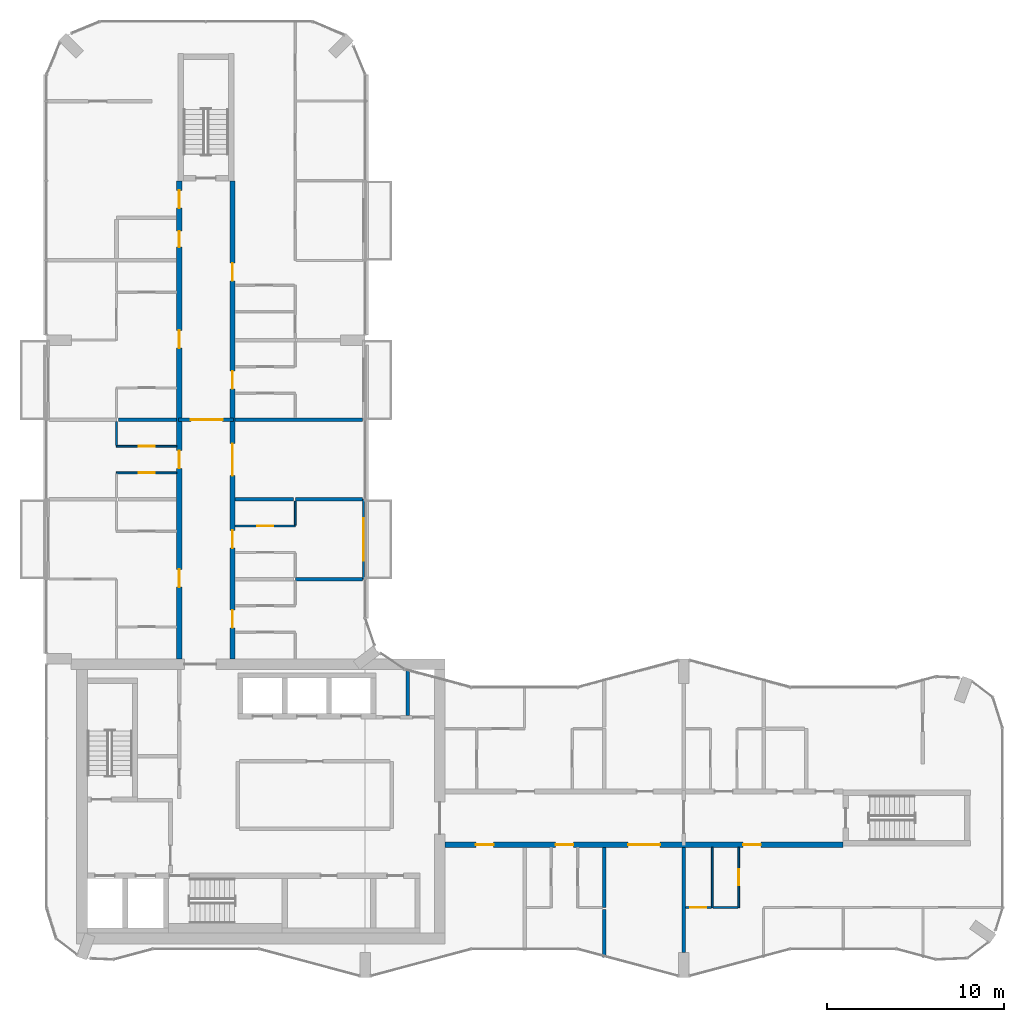
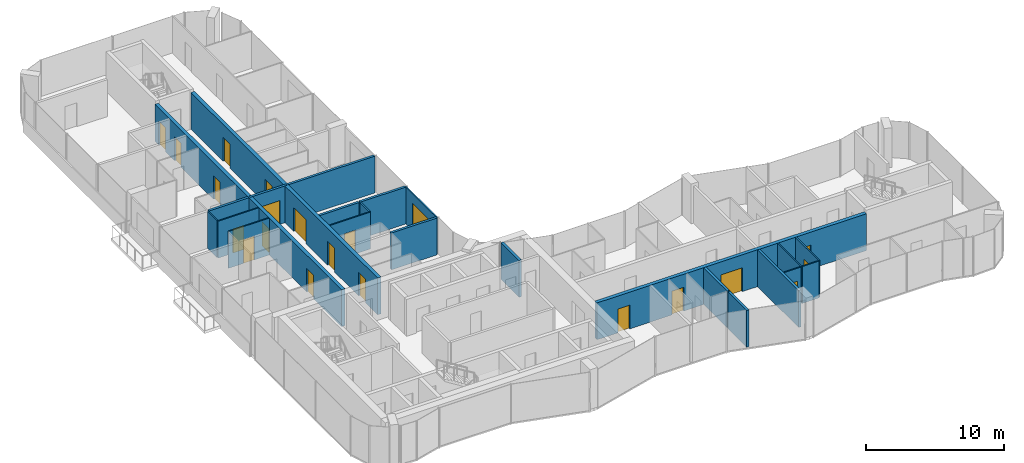
# One storey, part 11 of 17: 23 walls, 21 doors, 21 openings.
"""IFC4 building model written with IfcOpenShell, lengths in metres."""

from ifc_helpers import new_model, si_unit, direction, frame, frame_2d, origin, place, context, subcontext, project, spatial, rectangle, extrude, material, layer, layer_set, type_object, element, fill, save


model = new_model("IFC4")

# Units and contexts
model_context = context("Model", 3, precision=1e-05, world=origin(), true_north=direction((0.0, 1.0)))
body_context = subcontext(model_context, "Body", "Model", "MODEL_VIEW")
ifc_project = project(units=[si_unit("LENGTHUNIT", "METRE"), si_unit("AREAUNIT", "SQUARE_METRE"), si_unit("VOLUMEUNIT", "CUBIC_METRE"), si_unit("PLANEANGLEUNIT", "RADIAN"), si_unit("MASSUNIT", "GRAM", prefix="KILO")], contexts=[model_context])

# Site, building, storey
site_placement = place(None, origin())
site = spatial("IfcSite", under=ifc_project, at=site_placement, CompositionType="ELEMENT")
building_placement = place(site_placement, origin())
building = spatial("IfcBuilding", under=site, at=building_placement, Name="Plateau Cross Towers", CompositionType="ELEMENT")
storey_placement = place(building_placement, frame((0.0, 0.0, 146.39990234375)))
storey = spatial("IfcBuildingStorey", under=building, at=storey_placement, Name="L37", CompositionType="ELEMENT", Elevation=146.39990234375)

# Wall, opening, door
ifc_material_1 = material(Name="Aluminium framed glazing", Category="aluminium")
ifc_layer_1 = layer(ifc_material_1, 0.10009765625)
ifc_layer_set_1 = layer_set([ifc_layer_1], Name="Aluminium framed glazing")
wall_type_1 = type_object("IfcWallType", Name="Balcony screen wall 100", PredefinedType="STANDARD", material=ifc_layer_set_1)
wall_1_placement = place(storey_placement, frame((17.89990234375, 27.0, 0.0), z_axis=(0.0, 0.0, 1.0), x_axis=(0.0, -1.0, 0.0)))
wall_1 = element("IfcWall", 1, at=wall_1_placement, inside=storey, type_object=wall_type_1, Name="Balcony screen wall A-BAL-L37-03", PredefinedType="STANDARD", context=body_context, shape_type="SweptSolid", body=[
    extrude(rectangle(XDim=4.5, YDim=0.10009765625, at=frame_2d((2.25, 0.0))), origin(), (0.0, 0.0, 1.0), 3.25),
])
opening_1_placement = place(wall_1_placement, frame((1.050048828125, 0.0, 0.0)))
opening_1 = element("IfcOpeningElement", 2, at=opening_1_placement, cuts=wall_1, Name="Opening D-B24", PredefinedType="OPENING", context=body_context, shape_type="SweptSolid", body=[
    extrude(rectangle(XDim=2.39990234375, YDim=2.39990234375, at=frame_2d((1.199951171875, 1.199951171875))), frame((0.0, 0.06005859375, 0.0), z_axis=(0.0, -1.0, 0.0), x_axis=(1.0, 0.0, 0.0)), (0.0, 0.0, 1.0), 0.1201171875),
])
ifc_material_2 = material(Name="Aluminium frame, double glazing", Category="aluminium")
door_type_1 = type_object("IfcDoorType", Name="Balcony sliding door 2400", OperationType="NOTDEFINED", PredefinedType="DOOR", material=ifc_material_2)
door_1_placement = place(opening_1_placement, origin())
door_1 = element("IfcDoor", 3, at=door_1_placement, inside=storey, type_object=door_type_1, Name="Balcony door A-BAL-L37-03", OperationType="SINGLE_SWING_LEFT", OverallHeight=2.39990234375, OverallWidth=2.39990234375, PredefinedType="DOOR", context=body_context, shape_type="SweptSolid", body=[
    extrude(rectangle(XDim=2.39990234375, YDim=2.39990234375, at=frame_2d((1.199951171875, 1.199951171875))), frame((0.0, 0.02490234375, 0.0), z_axis=(0.0, -1.0, 0.0), x_axis=(1.0, 0.0, 0.0)), (0.0, 0.0, 1.0), 0.050048828125),
])
fill(opening_1, door_1)

# Wall
ifc_material_3 = material(Name="Concrete block, plastered both sides", Category="concrete")
ifc_layer_2 = layer(ifc_material_3, 0.199951171875)
ifc_layer_set_2 = layer_set([ifc_layer_2], Name="Concrete block, plastered both sides")
wall_type_2 = type_object("IfcWallType", Name="Core partition 200", PredefinedType="PARTITIONING", material=ifc_layer_set_2)
wall_2_placement = place(storey_placement, frame((20.39990234375, 14.800048828125, 0.0), z_axis=(0.0, 0.0, 1.0), x_axis=(0.0, 1.0, 0.0)))
element("IfcWall", 4, at=wall_2_placement, inside=storey, type_object=wall_type_2, Name="Core partition", PredefinedType="PARTITIONING", context=body_context, shape_type="SweptSolid", body=[
    extrude(rectangle(XDim=2.599853515625, YDim=0.199951171875, at=frame_2d((1.2998046875, 0.0))), origin(), (0.0, 0.0, 1.0), 3.25),
])

# Wall, openings, doors
ifc_material_4 = material(Name="Concrete C60/75", Category="concrete")
ifc_layer_3 = layer(ifc_material_4, 0.300048828125)
ifc_layer_set_3 = layer_set([ifc_layer_3], Name="Concrete C60/75")
wall_type_3 = type_object("IfcWallType", Name="Corridor wall 300", PredefinedType="SHEAR", material=ifc_layer_set_3)
wall_3_placement = place(storey_placement, frame((22.5, 7.5, 0.0), z_axis=(0.0, 0.0, 1.0), x_axis=(1.0, 0.0, 0.0)))
wall_3 = element("IfcWall", 5, at=wall_3_placement, inside=storey, type_object=wall_type_3, Name="A-cw-S1@L37", PredefinedType="SHEAR", context=body_context, shape_type="SweptSolid", body=[
    extrude(rectangle(XDim=22.5, YDim=0.300048828125, at=frame_2d((11.25, 0.0))), origin(), (0.0, 0.0, 1.0), 3.25),
])
opening_2_placement = place(wall_3_placement, frame((1.75, 0.0, 0.0)))
opening_2 = element("IfcOpeningElement", 6, at=opening_2_placement, cuts=wall_3, Name="Opening 37-01", PredefinedType="OPENING", context=body_context, shape_type="SweptSolid", body=[
    extrude(rectangle(XDim=1.0, YDim=2.10009765625, at=frame_2d((0.5, 1.050048828125))), frame((0.0, 0.159912109375, 0.0), z_axis=(0.0, -1.0, 0.0), x_axis=(1.0, 0.0, 0.0)), (0.0, 0.0, 1.0), 0.320068359375),
])
opening_3_placement = place(wall_3_placement, frame((6.25, 0.0, 0.0)))
opening_3 = element("IfcOpeningElement", 7, at=opening_3_placement, cuts=wall_3, Name="Opening 37-02", PredefinedType="OPENING", context=body_context, shape_type="SweptSolid", body=[
    extrude(rectangle(XDim=1.0, YDim=2.10009765625, at=frame_2d((0.5, 1.050048828125))), frame((0.0, 0.159912109375, 0.0), z_axis=(0.0, -1.0, 0.0), x_axis=(1.0, 0.0, 0.0)), (0.0, 0.0, 1.0), 0.320068359375),
])
opening_4_placement = place(wall_3_placement, frame((10.35009765625, 0.0, 0.0)))
opening_4 = element("IfcOpeningElement", 8, at=opening_4_placement, cuts=wall_3, Name="Opening 37-03", PredefinedType="OPENING", context=body_context, shape_type="SweptSolid", body=[
    extrude(rectangle(XDim=1.800048828125, YDim=2.10009765625, at=frame_2d((0.89990234375, 1.050048828125))), frame((0.0, 0.159912109375, 0.0), z_axis=(0.0, -1.0, 0.0), x_axis=(1.0, 0.0, 0.0)), (0.0, 0.0, 1.0), 0.320068359375),
])
opening_5_placement = place(wall_3_placement, frame((16.85009765625, 0.0, 0.0)))
opening_5 = element("IfcOpeningElement", 9, at=opening_5_placement, cuts=wall_3, Name="Opening 37-04", PredefinedType="OPENING", context=body_context, shape_type="SweptSolid", body=[
    extrude(rectangle(XDim=1.0, YDim=2.10009765625, at=frame_2d((0.5, 1.050048828125))), frame((0.0, 0.159912109375, 0.0), z_axis=(0.0, -1.0, 0.0), x_axis=(1.0, 0.0, 0.0)), (0.0, 0.0, 1.0), 0.320068359375),
])
ifc_material_5 = material(Name="Timber, fire-resisting leaf", Category="wood")
door_type_2 = type_object("IfcDoorType", Name="Flat entrance door 1000", OperationType="NOTDEFINED", PredefinedType="DOOR", material=ifc_material_5)
door_2_placement = place(opening_2_placement, origin())
door_2 = element("IfcDoor", 10, at=door_2_placement, inside=storey, type_object=door_type_2, Name="Door 37-01", OperationType="SINGLE_SWING_LEFT", OverallHeight=2.10009765625, OverallWidth=1.0, PredefinedType="DOOR", context=body_context, shape_type="SweptSolid", body=[
    extrude(rectangle(XDim=1.0, YDim=2.10009765625, at=frame_2d((0.5, 1.050048828125))), frame((0.0, 0.02490234375, 0.0), z_axis=(0.0, -1.0, 0.0), x_axis=(1.0, 0.0, 0.0)), (0.0, 0.0, 1.0), 0.050048828125),
])
fill(opening_2, door_2)
door_3_placement = place(opening_3_placement, origin())
door_3 = element("IfcDoor", 11, at=door_3_placement, inside=storey, type_object=door_type_2, Name="Door 37-02", OperationType="SINGLE_SWING_LEFT", OverallHeight=2.10009765625, OverallWidth=1.0, PredefinedType="DOOR", context=body_context, shape_type="SweptSolid", body=[
    extrude(rectangle(XDim=1.0, YDim=2.10009765625, at=frame_2d((0.5, 1.050048828125))), frame((0.0, 0.02490234375, 0.0), z_axis=(0.0, -1.0, 0.0), x_axis=(1.0, 0.0, 0.0)), (0.0, 0.0, 1.0), 0.050048828125),
])
fill(opening_3, door_3)
door_4_placement = place(opening_5_placement, origin())
door_4 = element("IfcDoor", 12, at=door_4_placement, inside=storey, type_object=door_type_2, Name="Door 37-04", OperationType="SINGLE_SWING_RIGHT", OverallHeight=2.10009765625, OverallWidth=1.0, PredefinedType="DOOR", context=body_context, shape_type="SweptSolid", body=[
    extrude(rectangle(XDim=1.0, YDim=2.10009765625, at=frame_2d((0.5, 1.050048828125))), frame((0.0, 0.02490234375, 0.0), z_axis=(0.0, -1.0, 0.0), x_axis=(1.0, 0.0, 0.0)), (0.0, 0.0, 1.0), 0.050048828125),
])
fill(opening_5, door_4)
ifc_material_6 = material(Name="Timber, fire-resisting leaves", Category="wood")
door_type_3 = type_object("IfcDoorType", Name="Flat floor fire door pair 1800", OperationType="NOTDEFINED", PredefinedType="DOOR", material=ifc_material_6)
door_5_placement = place(opening_4_placement, origin())
door_5 = element("IfcDoor", 13, at=door_5_placement, inside=storey, type_object=door_type_3, Name="Door 37-03", OperationType="SINGLE_SWING_LEFT", OverallHeight=2.10009765625, OverallWidth=1.800048828125, PredefinedType="DOOR", context=body_context, shape_type="SweptSolid", body=[
    extrude(rectangle(XDim=1.800048828125, YDim=2.10009765625, at=frame_2d((0.89990234375, 1.050048828125))), frame((0.0, 0.02490234375, 0.0), z_axis=(0.0, -1.0, 0.0), x_axis=(1.0, 0.0, 0.0)), (0.0, 0.0, 1.0), 0.050048828125),
])
fill(opening_4, door_5)

wall_4_placement = place(storey_placement, frame((7.5, 18.0, 0.0), z_axis=(0.0, 0.0, 1.0), x_axis=(0.0, 1.0, 0.0)))
wall_4 = element("IfcWall", 14, at=wall_4_placement, inside=storey, type_object=wall_type_3, Name="A-cw-W1@L37", PredefinedType="SHEAR", context=body_context, shape_type="SweptSolid", body=[
    extrude(rectangle(XDim=27.0, YDim=0.300048828125, at=frame_2d((13.5, 0.0))), origin(), (0.0, 0.0, 1.0), 3.25),
])
opening_6_placement = place(wall_4_placement, frame((4.050048828125, 0.0, 0.0)))
opening_6 = element("IfcOpeningElement", 15, at=opening_6_placement, cuts=wall_4, Name="Opening 37-10", PredefinedType="OPENING", context=body_context, shape_type="SweptSolid", body=[
    extrude(rectangle(XDim=1.0, YDim=2.10009765625, at=frame_2d((0.5, 1.050048828125))), frame((0.0, 0.159912109375, 0.0), z_axis=(0.0, -1.0, 0.0), x_axis=(1.0, 0.0, 0.0)), (0.0, 0.0, 1.0), 0.320068359375),
])
opening_7_placement = place(wall_4_placement, frame((10.75, 0.0, 0.0)))
opening_7 = element("IfcOpeningElement", 16, at=opening_7_placement, cuts=wall_4, Name="Opening 37-11", PredefinedType="OPENING", context=body_context, shape_type="SweptSolid", body=[
    extrude(rectangle(XDim=1.0, YDim=2.10009765625, at=frame_2d((0.5, 1.050048828125))), frame((0.0, 0.159912109375, 0.0), z_axis=(0.0, -1.0, 0.0), x_axis=(1.0, 0.0, 0.0)), (0.0, 0.0, 1.0), 0.320068359375),
])
opening_8_placement = place(wall_4_placement, frame((17.550048828125, 0.0, 0.0)))
opening_8 = element("IfcOpeningElement", 17, at=opening_8_placement, cuts=wall_4, Name="Opening 37-12", PredefinedType="OPENING", context=body_context, shape_type="SweptSolid", body=[
    extrude(rectangle(XDim=1.0, YDim=2.10009765625, at=frame_2d((0.5, 1.050048828125))), frame((0.0, 0.159912109375, 0.0), z_axis=(0.0, -1.0, 0.0), x_axis=(1.0, 0.0, 0.0)), (0.0, 0.0, 1.0), 0.320068359375),
])
opening_9_placement = place(wall_4_placement, frame((23.25, 0.0, 0.0)))
opening_9 = element("IfcOpeningElement", 18, at=opening_9_placement, cuts=wall_4, Name="Opening 37-13", PredefinedType="OPENING", context=body_context, shape_type="SweptSolid", body=[
    extrude(rectangle(XDim=0.89990234375, YDim=2.10009765625, at=frame_2d((0.449951171875, 1.050048828125))), frame((0.0, 0.159912109375, 0.0), z_axis=(0.0, -1.0, 0.0), x_axis=(1.0, 0.0, 0.0)), (0.0, 0.0, 1.0), 0.320068359375),
])
opening_10_placement = place(wall_4_placement, frame((25.449951171875, 0.0, 0.0)))
opening_10 = element("IfcOpeningElement", 19, at=opening_10_placement, cuts=wall_4, Name="Opening 37-14", PredefinedType="OPENING", context=body_context, shape_type="SweptSolid", body=[
    extrude(rectangle(XDim=1.0, YDim=2.10009765625, at=frame_2d((0.5, 1.050048828125))), frame((0.0, 0.159912109375, 0.0), z_axis=(0.0, -1.0, 0.0), x_axis=(1.0, 0.0, 0.0)), (0.0, 0.0, 1.0), 0.320068359375),
])
door_6_placement = place(opening_6_placement, origin())
door_6 = element("IfcDoor", 20, at=door_6_placement, inside=storey, type_object=door_type_2, Name="Door 37-10", OperationType="SINGLE_SWING_LEFT", OverallHeight=2.10009765625, OverallWidth=1.0, PredefinedType="DOOR", context=body_context, shape_type="SweptSolid", body=[
    extrude(rectangle(XDim=1.0, YDim=2.10009765625, at=frame_2d((0.5, 1.050048828125))), frame((0.0, 0.02490234375, 0.0), z_axis=(0.0, -1.0, 0.0), x_axis=(1.0, 0.0, 0.0)), (0.0, 0.0, 1.0), 0.050048828125),
])
fill(opening_6, door_6)
door_7_placement = place(opening_7_placement, origin())
door_7 = element("IfcDoor", 21, at=door_7_placement, inside=storey, type_object=door_type_2, Name="Door 37-11", OperationType="SINGLE_SWING_LEFT", OverallHeight=2.10009765625, OverallWidth=1.0, PredefinedType="DOOR", context=body_context, shape_type="SweptSolid", body=[
    extrude(rectangle(XDim=1.0, YDim=2.10009765625, at=frame_2d((0.5, 1.050048828125))), frame((0.0, 0.02490234375, 0.0), z_axis=(0.0, -1.0, 0.0), x_axis=(1.0, 0.0, 0.0)), (0.0, 0.0, 1.0), 0.050048828125),
])
fill(opening_7, door_7)
door_8_placement = place(opening_8_placement, origin())
door_8 = element("IfcDoor", 22, at=door_8_placement, inside=storey, type_object=door_type_2, Name="Door 37-12", OperationType="SINGLE_SWING_RIGHT", OverallHeight=2.10009765625, OverallWidth=1.0, PredefinedType="DOOR", context=body_context, shape_type="SweptSolid", body=[
    extrude(rectangle(XDim=1.0, YDim=2.10009765625, at=frame_2d((0.5, 1.050048828125))), frame((0.0, 0.02490234375, 0.0), z_axis=(0.0, -1.0, 0.0), x_axis=(1.0, 0.0, 0.0)), (0.0, 0.0, 1.0), 0.050048828125),
])
fill(opening_8, door_8)
door_9_placement = place(opening_10_placement, origin())
door_9 = element("IfcDoor", 23, at=door_9_placement, inside=storey, type_object=door_type_2, Name="Door 37-14", OperationType="SINGLE_SWING_RIGHT", OverallHeight=2.10009765625, OverallWidth=1.0, PredefinedType="DOOR", context=body_context, shape_type="SweptSolid", body=[
    extrude(rectangle(XDim=1.0, YDim=2.10009765625, at=frame_2d((0.5, 1.050048828125))), frame((0.0, 0.02490234375, 0.0), z_axis=(0.0, -1.0, 0.0), x_axis=(1.0, 0.0, 0.0)), (0.0, 0.0, 1.0), 0.050048828125),
])
fill(opening_10, door_9)
door_type_4 = type_object("IfcDoorType", Name="Flat floor service door 900", OperationType="NOTDEFINED", PredefinedType="DOOR", material=ifc_material_5)
door_10_placement = place(opening_9_placement, origin())
door_10 = element("IfcDoor", 24, at=door_10_placement, inside=storey, type_object=door_type_4, Name="Door 37-13", OperationType="SINGLE_SWING_RIGHT", OverallHeight=2.10009765625, OverallWidth=0.89990234375, PredefinedType="DOOR", context=body_context, shape_type="SweptSolid", body=[
    extrude(rectangle(XDim=0.89990234375, YDim=2.10009765625, at=frame_2d((0.449951171875, 1.050048828125))), frame((0.0, 0.02490234375, 0.0), z_axis=(0.0, -1.0, 0.0), x_axis=(1.0, 0.0, 0.0)), (0.0, 0.0, 1.0), 0.050048828125),
])
fill(opening_9, door_10)

wall_5_placement = place(storey_placement, frame((10.5, 18.0, 0.0), z_axis=(0.0, 0.0, 1.0), x_axis=(0.0, 1.0, 0.0)))
wall_5 = element("IfcWall", 25, at=wall_5_placement, inside=storey, type_object=wall_type_3, Name="A-cw-W2@L37", PredefinedType="SHEAR", context=body_context, shape_type="SweptSolid", body=[
    extrude(rectangle(XDim=27.0, YDim=0.300048828125, at=frame_2d((13.5, 0.0))), origin(), (0.0, 0.0, 1.0), 3.25),
])
opening_11_placement = place(wall_5_placement, frame((1.75, 0.0, 0.0)))
opening_11 = element("IfcOpeningElement", 26, at=opening_11_placement, cuts=wall_5, Name="Opening 37-15", PredefinedType="OPENING", context=body_context, shape_type="SweptSolid", body=[
    extrude(rectangle(XDim=1.0, YDim=2.10009765625, at=frame_2d((0.5, 1.050048828125))), frame((0.0, 0.159912109375, 0.0), z_axis=(0.0, -1.0, 0.0), x_axis=(1.0, 0.0, 0.0)), (0.0, 0.0, 1.0), 0.320068359375),
])
opening_12_placement = place(wall_5_placement, frame((6.25, 0.0, 0.0)))
opening_12 = element("IfcOpeningElement", 27, at=opening_12_placement, cuts=wall_5, Name="Opening 37-16", PredefinedType="OPENING", context=body_context, shape_type="SweptSolid", body=[
    extrude(rectangle(XDim=1.0, YDim=2.10009765625, at=frame_2d((0.5, 1.050048828125))), frame((0.0, 0.159912109375, 0.0), z_axis=(0.0, -1.0, 0.0), x_axis=(1.0, 0.0, 0.0)), (0.0, 0.0, 1.0), 0.320068359375),
])
opening_13_placement = place(wall_5_placement, frame((10.35009765625, 0.0, 0.0)))
opening_13 = element("IfcOpeningElement", 28, at=opening_13_placement, cuts=wall_5, Name="Opening 37-17", PredefinedType="OPENING", context=body_context, shape_type="SweptSolid", body=[
    extrude(rectangle(XDim=1.800048828125, YDim=2.10009765625, at=frame_2d((0.89990234375, 1.050048828125))), frame((0.0, 0.159912109375, 0.0), z_axis=(0.0, -1.0, 0.0), x_axis=(1.0, 0.0, 0.0)), (0.0, 0.0, 1.0), 0.320068359375),
])
opening_14_placement = place(wall_5_placement, frame((15.25, 0.0, 0.0)))
opening_14 = element("IfcOpeningElement", 29, at=opening_14_placement, cuts=wall_5, Name="Opening 37-18", PredefinedType="OPENING", context=body_context, shape_type="SweptSolid", body=[
    extrude(rectangle(XDim=1.0, YDim=2.10009765625, at=frame_2d((0.5, 1.050048828125))), frame((0.0, 0.159912109375, 0.0), z_axis=(0.0, -1.0, 0.0), x_axis=(1.0, 0.0, 0.0)), (0.0, 0.0, 1.0), 0.320068359375),
])
opening_15_placement = place(wall_5_placement, frame((21.35009765625, 0.0, 0.0)))
opening_15 = element("IfcOpeningElement", 30, at=opening_15_placement, cuts=wall_5, Name="Opening 37-19", PredefinedType="OPENING", context=body_context, shape_type="SweptSolid", body=[
    extrude(rectangle(XDim=1.0, YDim=2.10009765625, at=frame_2d((0.5, 1.050048828125))), frame((0.0, 0.159912109375, 0.0), z_axis=(0.0, -1.0, 0.0), x_axis=(1.0, 0.0, 0.0)), (0.0, 0.0, 1.0), 0.320068359375),
])
door_11_placement = place(opening_11_placement, origin())
door_11 = element("IfcDoor", 31, at=door_11_placement, inside=storey, type_object=door_type_2, Name="Door 37-15", OperationType="SINGLE_SWING_LEFT", OverallHeight=2.10009765625, OverallWidth=1.0, PredefinedType="DOOR", context=body_context, shape_type="SweptSolid", body=[
    extrude(rectangle(XDim=1.0, YDim=2.10009765625, at=frame_2d((0.5, 1.050048828125))), frame((0.0, 0.02490234375, 0.0), z_axis=(0.0, -1.0, 0.0), x_axis=(1.0, 0.0, 0.0)), (0.0, 0.0, 1.0), 0.050048828125),
])
fill(opening_11, door_11)
door_12_placement = place(opening_12_placement, origin())
door_12 = element("IfcDoor", 32, at=door_12_placement, inside=storey, type_object=door_type_2, Name="Door 37-16", OperationType="SINGLE_SWING_LEFT", OverallHeight=2.10009765625, OverallWidth=1.0, PredefinedType="DOOR", context=body_context, shape_type="SweptSolid", body=[
    extrude(rectangle(XDim=1.0, YDim=2.10009765625, at=frame_2d((0.5, 1.050048828125))), frame((0.0, 0.02490234375, 0.0), z_axis=(0.0, -1.0, 0.0), x_axis=(1.0, 0.0, 0.0)), (0.0, 0.0, 1.0), 0.050048828125),
])
fill(opening_12, door_12)
door_13_placement = place(opening_14_placement, origin())
door_13 = element("IfcDoor", 33, at=door_13_placement, inside=storey, type_object=door_type_2, Name="Door 37-18", OperationType="SINGLE_SWING_RIGHT", OverallHeight=2.10009765625, OverallWidth=1.0, PredefinedType="DOOR", context=body_context, shape_type="SweptSolid", body=[
    extrude(rectangle(XDim=1.0, YDim=2.10009765625, at=frame_2d((0.5, 1.050048828125))), frame((0.0, 0.02490234375, 0.0), z_axis=(0.0, -1.0, 0.0), x_axis=(1.0, 0.0, 0.0)), (0.0, 0.0, 1.0), 0.050048828125),
])
fill(opening_14, door_13)
door_14_placement = place(opening_15_placement, origin())
door_14 = element("IfcDoor", 34, at=door_14_placement, inside=storey, type_object=door_type_2, Name="Door 37-19", OperationType="SINGLE_SWING_RIGHT", OverallHeight=2.10009765625, OverallWidth=1.0, PredefinedType="DOOR", context=body_context, shape_type="SweptSolid", body=[
    extrude(rectangle(XDim=1.0, YDim=2.10009765625, at=frame_2d((0.5, 1.050048828125))), frame((0.0, 0.02490234375, 0.0), z_axis=(0.0, -1.0, 0.0), x_axis=(1.0, 0.0, 0.0)), (0.0, 0.0, 1.0), 0.050048828125),
])
fill(opening_15, door_14)
door_15_placement = place(opening_13_placement, origin())
door_15 = element("IfcDoor", 35, at=door_15_placement, inside=storey, type_object=door_type_3, Name="Door 37-17", OperationType="SINGLE_SWING_LEFT", OverallHeight=2.10009765625, OverallWidth=1.800048828125, PredefinedType="DOOR", context=body_context, shape_type="SweptSolid", body=[
    extrude(rectangle(XDim=1.800048828125, YDim=2.10009765625, at=frame_2d((0.89990234375, 1.050048828125))), frame((0.0, 0.02490234375, 0.0), z_axis=(0.0, -1.0, 0.0), x_axis=(1.0, 0.0, 0.0)), (0.0, 0.0, 1.0), 0.050048828125),
])
fill(opening_13, door_15)

# Wall, opening, door
ifc_material_7 = material(Name="Gypsum board on steel studs", Category="steel")
ifc_layer_4 = layer(ifc_material_7, 0.10009765625)
ifc_layer_set_4 = layer_set([ifc_layer_4], Name="Gypsum board on steel studs")
wall_type_4 = type_object("IfcWallType", Name="Flat partition 100", PredefinedType="PARTITIONING", material=ifc_layer_set_4)
wall_6_placement = place(storey_placement, frame((36.10009765625, 3.949951171875, 0.0), z_axis=(0.0, 0.0, 1.0), x_axis=(1.0, 0.0, 0.0)))
wall_6 = element("IfcWall", 36, at=wall_6_placement, inside=storey, type_object=wall_type_4, Name="Partition wall", PredefinedType="PARTITIONING", context=body_context, shape_type="SweptSolid", body=[
    extrude(rectangle(XDim=1.449951171875, YDim=0.10009765625, at=frame_2d((0.72509765625, 0.0))), origin(), (0.0, 0.0, 1.0), 3.25),
])
opening_16_placement = place(wall_6_placement, frame((0.25, 0.0, 0.0)))
opening_16 = element("IfcOpeningElement", 37, at=opening_16_placement, cuts=wall_6, Name="Opening 37-26", PredefinedType="OPENING", context=body_context, shape_type="SweptSolid", body=[
    extrude(rectangle(XDim=0.89990234375, YDim=2.10009765625, at=frame_2d((0.449951171875, 1.050048828125))), frame((0.0, 0.06005859375, 0.0), z_axis=(0.0, -1.0, 0.0), x_axis=(1.0, 0.0, 0.0)), (0.0, 0.0, 1.0), 0.1201171875),
])
ifc_material_8 = material(Name="Timber leaf", Category="wood")
door_type_5 = type_object("IfcDoorType", Name="Flat room door 900", OperationType="NOTDEFINED", PredefinedType="DOOR", material=ifc_material_8)
door_16_placement = place(opening_16_placement, origin())
door_16 = element("IfcDoor", 38, at=door_16_placement, inside=storey, type_object=door_type_5, Name="Door 37-26", OperationType="SINGLE_SWING_LEFT", OverallHeight=2.10009765625, OverallWidth=0.89990234375, PredefinedType="DOOR", context=body_context, shape_type="SweptSolid", body=[
    extrude(rectangle(XDim=0.89990234375, YDim=2.10009765625, at=frame_2d((0.449951171875, 1.050048828125))), frame((0.0, 0.02490234375, 0.0), z_axis=(0.0, -1.0, 0.0), x_axis=(1.0, 0.0, 0.0)), (0.0, 0.0, 1.0), 0.050048828125),
])
fill(opening_16, door_16)

# Wall
wall_7_placement = place(storey_placement, frame((37.64990234375, 3.949951171875, 0.0), z_axis=(0.0, 0.0, 1.0), x_axis=(1.0, 0.0, 0.0)))
element("IfcWall", 39, at=wall_7_placement, inside=storey, type_object=wall_type_4, Name="Partition wall", PredefinedType="PARTITIONING", context=body_context, shape_type="SweptSolid", body=[
    extrude(rectangle(XDim=1.400146484375, YDim=0.10009765625, at=frame_2d((0.7001953125, 0.0))), origin(), (0.0, 0.0, 1.0), 3.25),
])

# Wall, opening, door
wall_8_placement = place(storey_placement, frame((10.64990234375, 25.5, 0.0), z_axis=(0.0, 0.0, 1.0), x_axis=(1.0, 0.0, 0.0)))
wall_8 = element("IfcWall", 40, at=wall_8_placement, inside=storey, type_object=wall_type_4, Name="Partition wall", PredefinedType="PARTITIONING", context=body_context, shape_type="SweptSolid", body=[
    extrude(rectangle(XDim=3.400146484375, YDim=0.10009765625, at=frame_2d((1.7001953125, 0.0))), origin(), (0.0, 0.0, 1.0), 3.25),
])
opening_17_placement = place(wall_8_placement, frame((1.25, 0.0, 0.0)))
opening_17 = element("IfcOpeningElement", 41, at=opening_17_placement, cuts=wall_8, Name="Opening 37-47", PredefinedType="OPENING", context=body_context, shape_type="SweptSolid", body=[
    extrude(rectangle(XDim=0.89990234375, YDim=2.10009765625, at=frame_2d((0.449951171875, 1.050048828125))), frame((0.0, 0.06005859375, 0.0), z_axis=(0.0, -1.0, 0.0), x_axis=(1.0, 0.0, 0.0)), (0.0, 0.0, 1.0), 0.1201171875),
])
door_17_placement = place(opening_17_placement, origin())
door_17 = element("IfcDoor", 42, at=door_17_placement, inside=storey, type_object=door_type_5, Name="Door 37-47", OperationType="SINGLE_SWING_LEFT", OverallHeight=2.10009765625, OverallWidth=0.89990234375, PredefinedType="DOOR", context=body_context, shape_type="SweptSolid", body=[
    extrude(rectangle(XDim=0.89990234375, YDim=2.10009765625, at=frame_2d((0.449951171875, 1.050048828125))), frame((0.0, 0.02490234375, 0.0), z_axis=(0.0, -1.0, 0.0), x_axis=(1.0, 0.0, 0.0)), (0.0, 0.0, 1.0), 0.050048828125),
])
fill(opening_17, door_17)

wall_9_placement = place(storey_placement, frame((7.35009765625, 28.5, 0.0), z_axis=(0.0, 0.0, 1.0), x_axis=(-1.0, 0.0, 0.0)))
wall_9 = element("IfcWall", 43, at=wall_9_placement, inside=storey, type_object=wall_type_4, Name="Partition wall", PredefinedType="PARTITIONING", context=body_context, shape_type="SweptSolid", body=[
    extrude(rectangle(XDim=3.400146484375, YDim=0.10009765625, at=frame_2d((1.7001953125, 0.0))), origin(), (0.0, 0.0, 1.0), 3.25),
])
opening_18_placement = place(wall_9_placement, frame((1.25, 0.0, 0.0)))
opening_18 = element("IfcOpeningElement", 44, at=opening_18_placement, cuts=wall_9, Name="Opening 37-39", PredefinedType="OPENING", context=body_context, shape_type="SweptSolid", body=[
    extrude(rectangle(XDim=0.89990234375, YDim=2.10009765625, at=frame_2d((0.449951171875, 1.050048828125))), frame((0.0, 0.06005859375, 0.0), z_axis=(0.0, -1.0, 0.0), x_axis=(1.0, 0.0, 0.0)), (0.0, 0.0, 1.0), 0.1201171875),
])
door_18_placement = place(opening_18_placement, origin())
door_18 = element("IfcDoor", 45, at=door_18_placement, inside=storey, type_object=door_type_5, Name="Door 37-39", OperationType="SINGLE_SWING_RIGHT", OverallHeight=2.10009765625, OverallWidth=0.89990234375, PredefinedType="DOOR", context=body_context, shape_type="SweptSolid", body=[
    extrude(rectangle(XDim=0.89990234375, YDim=2.10009765625, at=frame_2d((0.449951171875, 1.050048828125))), frame((0.0, 0.02490234375, 0.0), z_axis=(0.0, -1.0, 0.0), x_axis=(1.0, 0.0, 0.0)), (0.0, 0.0, 1.0), 0.050048828125),
])
fill(opening_18, door_18)

wall_10_placement = place(storey_placement, frame((3.949951171875, 30.0, 0.0), z_axis=(0.0, 0.0, 1.0), x_axis=(1.0, 0.0, 0.0)))
wall_10 = element("IfcWall", 46, at=wall_10_placement, inside=storey, type_object=wall_type_4, Name="Partition wall", PredefinedType="PARTITIONING", context=body_context, shape_type="SweptSolid", body=[
    extrude(rectangle(XDim=3.400146484375, YDim=0.10009765625, at=frame_2d((1.7001953125, 0.0))), origin(), (0.0, 0.0, 1.0), 3.25),
])
opening_19_placement = place(wall_10_placement, frame((1.25, 0.0, 0.0)))
opening_19 = element("IfcOpeningElement", 47, at=opening_19_placement, cuts=wall_10, Name="Opening 37-40", PredefinedType="OPENING", context=body_context, shape_type="SweptSolid", body=[
    extrude(rectangle(XDim=0.89990234375, YDim=2.10009765625, at=frame_2d((0.449951171875, 1.050048828125))), frame((0.0, 0.06005859375, 0.0), z_axis=(0.0, -1.0, 0.0), x_axis=(1.0, 0.0, 0.0)), (0.0, 0.0, 1.0), 0.1201171875),
])
door_19_placement = place(opening_19_placement, origin())
door_19 = element("IfcDoor", 48, at=door_19_placement, inside=storey, type_object=door_type_5, Name="Door 37-40", OperationType="SINGLE_SWING_RIGHT", OverallHeight=2.10009765625, OverallWidth=0.89990234375, PredefinedType="DOOR", context=body_context, shape_type="SweptSolid", body=[
    extrude(rectangle(XDim=0.89990234375, YDim=2.10009765625, at=frame_2d((0.449951171875, 1.050048828125))), frame((0.0, 0.02490234375, 0.0), z_axis=(0.0, -1.0, 0.0), x_axis=(1.0, 0.0, 0.0)), (0.0, 0.0, 1.0), 0.050048828125),
])
fill(opening_19, door_19)

# Walls
for number, where, z_axis, x_axis, name in (
    (49, (3.949951171875, 31.39990234375, 0.0), (0.0, 0.0, 1.0), (0.0, -1.0, 0.0), "Partition wall"),
    (50, (14.050048828125, 25.550048828125, 0.0), (0.0, 0.0, 1.0), (0.0, 1.0, 0.0), "Partition wall"),
):
    element("IfcWall", number, at=place(storey_placement, frame(where, z_axis=z_axis, x_axis=x_axis)), inside=storey, type_object=wall_type_4, Name=name, PredefinedType="PARTITIONING", context=body_context, shape_type="SweptSolid", body=[
        extrude(rectangle(XDim=1.349853515625, YDim=0.10009765625, at=frame_2d((0.6748046875, 0.0))), origin(), (0.0, 0.0, 1.0), 3.25),
    ])
wall_11_placement = place(storey_placement, frame((37.60009765625, 3.949951171875, 0.0), z_axis=(0.0, 0.0, 1.0), x_axis=(0.0, 1.0, 0.0)))
element("IfcWall", 51, at=wall_11_placement, inside=storey, type_object=wall_type_4, Name="Partition wall", PredefinedType="PARTITIONING", context=body_context, shape_type="SweptSolid", body=[
    extrude(rectangle(XDim=3.400146484375, YDim=0.10009765625, at=frame_2d((1.7001953125, 0.0))), origin(), (0.0, 0.0, 1.0), 3.25),
])

# Wall, opening, door
wall_12_placement = place(storey_placement, frame((39.10009765625, 3.949951171875, 0.0), z_axis=(0.0, 0.0, 1.0), x_axis=(0.0, 1.0, 0.0)))
wall_12 = element("IfcWall", 52, at=wall_12_placement, inside=storey, type_object=wall_type_4, Name="Partition wall", PredefinedType="PARTITIONING", context=body_context, shape_type="SweptSolid", body=[
    extrude(rectangle(XDim=3.400146484375, YDim=0.10009765625, at=frame_2d((1.7001953125, 0.0))), origin(), (0.0, 0.0, 1.0), 3.25),
])
opening_20_placement = place(wall_12_placement, frame((1.25, 0.0, 0.0)))
opening_20 = element("IfcOpeningElement", 53, at=opening_20_placement, cuts=wall_12, Name="Opening 37-27", PredefinedType="OPENING", context=body_context, shape_type="SweptSolid", body=[
    extrude(rectangle(XDim=0.89990234375, YDim=2.10009765625, at=frame_2d((0.449951171875, 1.050048828125))), frame((0.0, 0.06005859375, 0.0), z_axis=(0.0, -1.0, 0.0), x_axis=(1.0, 0.0, 0.0)), (0.0, 0.0, 1.0), 0.1201171875),
])
door_20_placement = place(opening_20_placement, origin())
door_20 = element("IfcDoor", 54, at=door_20_placement, inside=storey, type_object=door_type_5, Name="Door 37-27", OperationType="SINGLE_SWING_RIGHT", OverallHeight=2.10009765625, OverallWidth=0.89990234375, PredefinedType="DOOR", context=body_context, shape_type="SweptSolid", body=[
    extrude(rectangle(XDim=0.89990234375, YDim=2.10009765625, at=frame_2d((0.449951171875, 1.050048828125))), frame((0.0, 0.02490234375, 0.0), z_axis=(0.0, -1.0, 0.0), x_axis=(1.0, 0.0, 0.0)), (0.0, 0.0, 1.0), 0.050048828125),
])
fill(opening_20, door_20)

# Walls
ifc_material_9 = material(Name="Gypsum board on steel studs, two layers each side", Category="steel")
ifc_layer_5 = layer(ifc_material_9, 0.199951171875)
ifc_layer_set_5 = layer_set([ifc_layer_5], Name="Gypsum board on steel studs, two layers each side")
wall_type_5 = type_object("IfcWallType", Name="Flat party wall 200", PredefinedType="PARTITIONING", material=ifc_layer_set_5)
wall_13_placement = place(storey_placement, frame((14.050048828125, 22.5, 0.0), z_axis=(0.0, 0.0, 1.0), x_axis=(1.0, 0.0, 0.0)))
element("IfcWall", 55, at=wall_13_placement, inside=storey, type_object=wall_type_5, Name="Party wall", PredefinedType="PARTITIONING", context=body_context, shape_type="SweptSolid", body=[
    extrude(rectangle(XDim=3.800048828125, YDim=0.199951171875, at=frame_2d((1.89990234375, 0.0))), origin(), (0.0, 0.0, 1.0), 3.25),
])
wall_14_placement = place(storey_placement, frame((13.949951171875, 27.0, 0.0), z_axis=(0.0, 0.0, 1.0), x_axis=(-1.0, 0.0, 0.0)))
element("IfcWall", 56, at=wall_14_placement, inside=storey, type_object=wall_type_5, Name="Party wall", PredefinedType="PARTITIONING", context=body_context, shape_type="SweptSolid", body=[
    extrude(rectangle(XDim=3.300048828125, YDim=0.199951171875, at=frame_2d((1.64990234375, 0.0))), origin(), (0.0, 0.0, 1.0), 3.25),
])
wall_15_placement = place(storey_placement, frame((14.050048828125, 27.0, 0.0), z_axis=(0.0, 0.0, 1.0), x_axis=(1.0, 0.0, 0.0)))
element("IfcWall", 57, at=wall_15_placement, inside=storey, type_object=wall_type_5, Name="Party wall", PredefinedType="PARTITIONING", context=body_context, shape_type="SweptSolid", body=[
    extrude(rectangle(XDim=3.800048828125, YDim=0.199951171875, at=frame_2d((1.89990234375, 0.0))), origin(), (0.0, 0.0, 1.0), 3.25),
])
wall_16_placement = place(storey_placement, frame((7.35009765625, 31.5, 0.0), z_axis=(0.0, 0.0, 1.0), x_axis=(-1.0, 0.0, 0.0)))
element("IfcWall", 58, at=wall_16_placement, inside=storey, type_object=wall_type_5, Name="Party wall", PredefinedType="PARTITIONING", context=body_context, shape_type="SweptSolid", body=[
    extrude(rectangle(XDim=3.300048828125, YDim=0.199951171875, at=frame_2d((1.64990234375, 0.0))), origin(), (0.0, 0.0, 1.0), 3.25),
])
wall_17_placement = place(storey_placement, frame((17.85009765625, 31.5, 0.0), z_axis=(0.0, 0.0, 1.0), x_axis=(-1.0, 0.0, 0.0)))
element("IfcWall", 59, at=wall_17_placement, inside=storey, type_object=wall_type_5, Name="Party wall", PredefinedType="PARTITIONING", context=body_context, shape_type="SweptSolid", body=[
    extrude(rectangle(XDim=7.2001953125, YDim=0.199951171875, at=frame_2d((3.60009765625, 0.0))), origin(), (0.0, 0.0, 1.0), 3.25),
])
wall_18_placement = place(storey_placement, frame((31.5, 3.85009765625, 0.0), z_axis=(0.0, 0.0, 1.0), x_axis=(0.0, -1.0, 0.0)))
element("IfcWall", 60, at=wall_18_placement, inside=storey, type_object=wall_type_5, Name="Party wall", PredefinedType="PARTITIONING", context=body_context, shape_type="SweptSolid", body=[
    extrude(rectangle(XDim=2.727783203125, YDim=0.199951171875, at=frame_2d((1.36376953125, 0.0))), origin(), (0.0, 0.0, 1.0), 3.25),
])
wall_19_placement = place(storey_placement, frame((31.5, 3.949951171875, 0.0), z_axis=(0.0, 0.0, 1.0), x_axis=(0.0, 1.0, 0.0)))
element("IfcWall", 61, at=wall_19_placement, inside=storey, type_object=wall_type_5, Name="Party wall", PredefinedType="PARTITIONING", context=body_context, shape_type="SweptSolid", body=[
    extrude(rectangle(XDim=3.400146484375, YDim=0.199951171875, at=frame_2d((1.7001953125, 0.0))), origin(), (0.0, 0.0, 1.0), 3.25),
])
wall_20_placement = place(storey_placement, frame((36.0, 1.39990234375, 0.0), z_axis=(0.0, 0.0, 1.0), x_axis=(0.0, 1.0, 0.0)))
element("IfcWall", 62, at=wall_20_placement, inside=storey, type_object=wall_type_5, Name="Party wall", PredefinedType="PARTITIONING", context=body_context, shape_type="SweptSolid", body=[
    extrude(rectangle(XDim=5.9501953125, YDim=0.199951171875, at=frame_2d((2.97509765625, 0.0))), origin(), (0.0, 0.0, 1.0), 3.25),
])

# Wall, opening, door
wall_21_placement = place(storey_placement, frame((7.449951171875, 31.5, 0.0), z_axis=(0.0, 0.0, 1.0), x_axis=(1.0, 0.0, 0.0)))
wall_21 = element("IfcWall", 63, at=wall_21_placement, inside=storey, type_object=wall_type_5, Name="Party wall", PredefinedType="PARTITIONING", context=body_context, shape_type="SweptSolid", body=[
    extrude(rectangle(XDim=3.10009765625, YDim=0.199951171875, at=frame_2d((1.550048828125, 0.0))), origin(), (0.0, 0.0, 1.0), 3.25),
])
opening_21_placement = place(wall_21_placement, frame((0.699951171875, 0.0, 0.0)))
opening_21 = element("IfcOpeningElement", 64, at=opening_21_placement, cuts=wall_21, Name="Opening 37-21", PredefinedType="OPENING", context=body_context, shape_type="SweptSolid", body=[
    extrude(rectangle(XDim=1.800048828125, YDim=2.10009765625, at=frame_2d((0.89990234375, 1.050048828125))), frame((0.0, 0.10986328125, 0.0), z_axis=(0.0, -1.0, 0.0), x_axis=(1.0, 0.0, 0.0)), (0.0, 0.0, 1.0), 0.219970703125),
])
door_21_placement = place(opening_21_placement, origin())
door_21 = element("IfcDoor", 65, at=door_21_placement, inside=storey, type_object=door_type_3, Name="Door 37-21", OperationType="SINGLE_SWING_RIGHT", OverallHeight=2.10009765625, OverallWidth=1.800048828125, PredefinedType="DOOR", context=body_context, shape_type="SweptSolid", body=[
    extrude(rectangle(XDim=1.800048828125, YDim=2.10009765625, at=frame_2d((0.89990234375, 1.050048828125))), frame((0.0, 0.02490234375, 0.0), z_axis=(0.0, -1.0, 0.0), x_axis=(1.0, 0.0, 0.0)), (0.0, 0.0, 1.0), 0.050048828125),
])
fill(opening_21, door_21)

save(model, "model.ifc")
